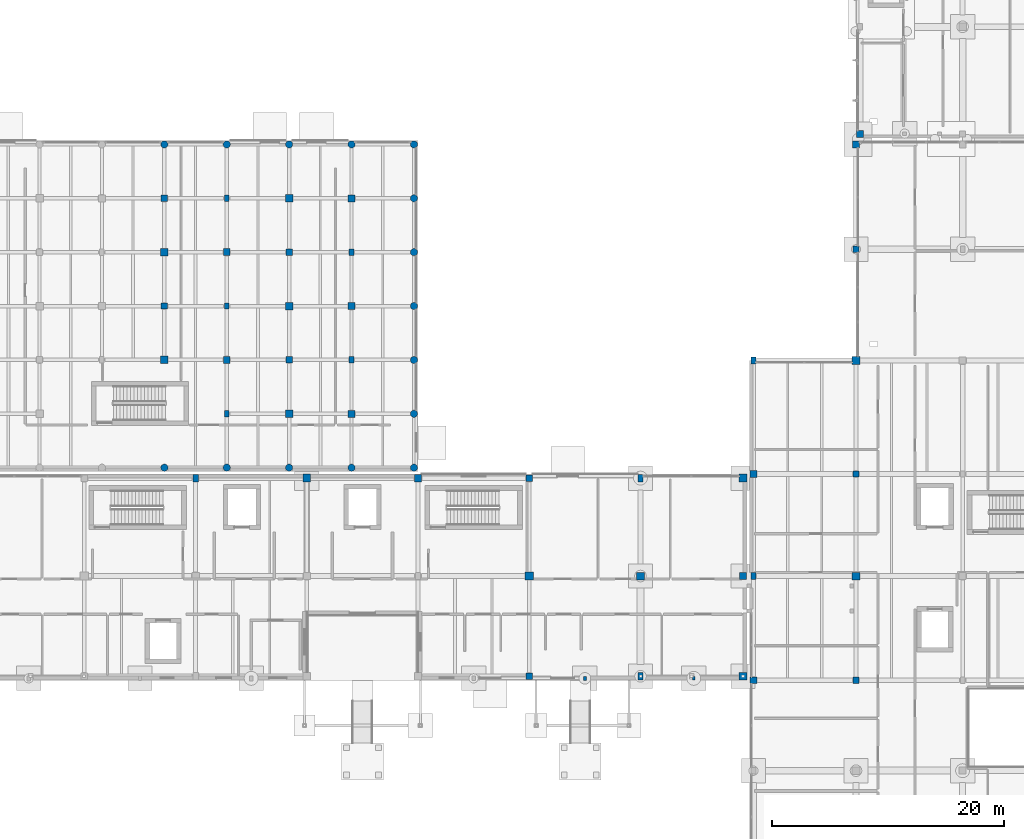
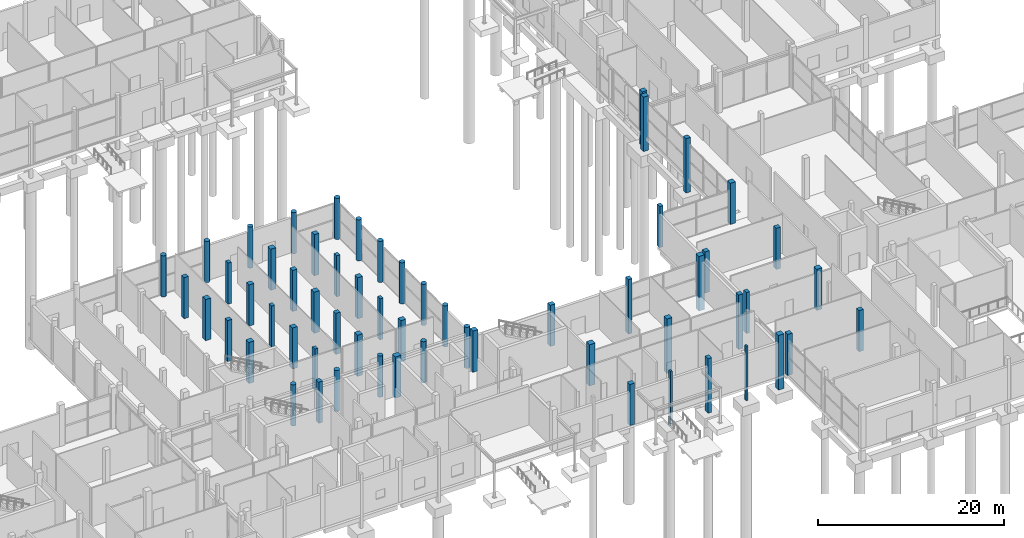
# One storey, part 9 of 88: 59 columns.
"""IFC4 building model written with IfcOpenShell, lengths in metres."""

from ifc_helpers import new_model, si_unit, direction, frame, origin, origin_2d, place, context, subcontext, project, spatial, rectangle, circle, extrude, material, material_profile, profile_set, type_object, element, save


model = new_model("IFC4")

# Units and contexts
model_context = context("Model", 3, precision=1e-05, world=origin(), true_north=direction((0.0, 1.0)))
body_context = subcontext(model_context, "Body", "Model", "MODEL_VIEW")
ifc_project = project(units=[si_unit("LENGTHUNIT", "METRE"), si_unit("AREAUNIT", "SQUARE_METRE"), si_unit("VOLUMEUNIT", "CUBIC_METRE"), si_unit("PLANEANGLEUNIT", "RADIAN"), si_unit("MASSUNIT", "GRAM", prefix="KILO")], contexts=[model_context])

# Site, building, storey
site_placement = place(None, origin())
site = spatial("IfcSite", under=ifc_project, at=site_placement, CompositionType="ELEMENT")
building_placement = place(site_placement, origin())
building = spatial("IfcBuilding", under=site, at=building_placement, Name="Birchvale Park Specialist Clinic", CompositionType="ELEMENT")
storey_placement = place(building_placement, origin())
storey = spatial("IfcBuildingStorey", under=building, at=storey_placement, Name="L00", CompositionType="ELEMENT", Elevation=0.0)

# Columns
ifc_material = material(Name="Concrete C40/50", Category="concrete")
ifc_material_profile_1 = material_profile(ifc_material, rectangle(XDim=0.679931640625, YDim=0.679931640625, at=origin_2d()), Name="RC-680x680")
ifc_profile_set_1 = profile_set([ifc_material_profile_1], Name="Concrete C40/50")
column_type_1 = type_object("IfcColumnType", Name="COL-EXT-C01", PredefinedType="COLUMN", material=ifc_profile_set_1)
column_1_placement = place(storey_placement, frame((80.60009765625, 34.25, 0.0), z_axis=(0.0, 0.0, 1.0), x_axis=(1.0, 0.0, 0.0)))
element("IfcColumn", 1, at=column_1_placement, inside=storey, type_object=column_type_1, Name="V4 L00 column 12", PredefinedType="COLUMN", context=body_context, shape_type="SweptSolid", body=[
    extrude(rectangle(XDim=0.679931640625, YDim=0.679931640625, at=origin_2d()), origin(), (0.0, 0.0, 1.0), 5.39990234375),
])
for number, where, z_axis, x_axis, name in (
    (2, (118.25, 17.14990234375, -1.75), (0.0, 0.0, 1.0), (1.0, 0.0, 0.0), "V4 L00 column 22"),
    (3, (118.25, 34.25, -1.75), (0.0, 0.0, 1.0), (1.0, 0.0, 0.0), "V4 L00 column 24"),
):
    element("IfcColumn", number, at=place(storey_placement, frame(where, z_axis=z_axis, x_axis=x_axis)), inside=storey, type_object=column_type_1, Name=name, PredefinedType="COLUMN", context=body_context, shape_type="SweptSolid", body=[
        extrude(rectangle(XDim=0.679931640625, YDim=0.679931640625, at=origin_2d()), origin(), (0.0, 0.0, 1.0), 7.14990234375),
    ])
ifc_material_profile_2 = material_profile(ifc_material, rectangle(XDim=0.6298828125, YDim=0.6298828125, at=origin_2d()), Name="RC-630x630")
ifc_profile_set_2 = profile_set([ifc_material_profile_2], Name="Concrete C40/50")
column_type_2 = type_object("IfcColumnType", Name="COL-EXT-C02", PredefinedType="COLUMN", material=ifc_profile_set_2)
column_2_placement = place(storey_placement, frame((90.199951171875, 34.25, 0.0), z_axis=(0.0, 0.0, 1.0), x_axis=(1.0, 0.0, 0.0)))
element("IfcColumn", 4, at=column_2_placement, inside=storey, type_object=column_type_2, Name="V4 L00 column 15", PredefinedType="COLUMN", context=body_context, shape_type="SweptSolid", body=[
    extrude(rectangle(XDim=0.6298828125, YDim=0.6298828125, at=origin_2d()), origin(), (0.0, 0.0, 1.0), 5.39990234375),
])
column_3_placement = place(storey_placement, frame((128.0, 63.050048828125, -1.75), z_axis=(0.0, 0.0, 1.0), x_axis=(1.0, 0.0, 0.0)))
element("IfcColumn", 5, at=column_3_placement, inside=storey, type_object=column_type_2, Name="V5 L00 column 14", PredefinedType="COLUMN", context=body_context, shape_type="SweptSolid", body=[
    extrude(rectangle(XDim=0.6298828125, YDim=0.6298828125, at=origin_2d()), origin(), (0.0, 0.0, 1.0), 7.14990234375),
])
ifc_material_profile_3 = material_profile(ifc_material, rectangle(XDim=0.580078125, YDim=0.580078125, at=origin_2d()), Name="RC-580x580")
ifc_profile_set_3 = profile_set([ifc_material_profile_3], Name="Concrete C40/50")
column_type_3 = type_object("IfcColumnType", Name="COL-EXT-C03", PredefinedType="COLUMN", material=ifc_profile_set_3)
for number, where, z_axis, x_axis, name in (
    (6, (99.800048828125, 17.14990234375, 0.0), (0.0, 0.0, 1.0), (1.0, 0.0, 0.0), "V4 L00 column 16"),
    (7, (99.800048828125, 34.25, 0.0), (0.0, 0.0, 1.0), (1.0, 0.0, 0.0), "V4 L00 column 18"),
):
    element("IfcColumn", number, at=place(storey_placement, frame(where, z_axis=z_axis, x_axis=x_axis)), inside=storey, type_object=column_type_3, Name=name, PredefinedType="COLUMN", context=body_context, shape_type="SweptSolid", body=[
        extrude(rectangle(XDim=0.580078125, YDim=0.580078125, at=origin_2d()), origin(), (0.0, 0.0, 1.0), 5.39990234375),
    ])
column_4_placement = place(storey_placement, frame((118.25, 25.800048828125, -1.75), z_axis=(0.0, 0.0, 1.0), x_axis=(1.0, 0.0, 0.0)))
element("IfcColumn", 8, at=column_4_placement, inside=storey, type_object=column_type_3, Name="V4 L00 column 23", PredefinedType="COLUMN", context=body_context, shape_type="SweptSolid", body=[
    extrude(rectangle(XDim=0.580078125, YDim=0.580078125, at=origin_2d()), origin(), (0.0, 0.0, 1.0), 7.14990234375),
])
for number, where, z_axis, x_axis, name in (
    (9, (119.14990234375, 16.800048828125, 0.0), (0.0, 0.0, 1.0), (1.0, 0.0, 0.0), "V5 L00 column 3"),
    (10, (119.14990234375, 34.60009765625, 0.0), (0.0, 0.0, 1.0), (1.0, 0.0, 0.0), "V5 L00 column 5"),
):
    element("IfcColumn", number, at=place(storey_placement, frame(where, z_axis=z_axis, x_axis=x_axis)), inside=storey, type_object=column_type_3, Name=name, PredefinedType="COLUMN", context=body_context, shape_type="SweptSolid", body=[
        extrude(rectangle(XDim=0.580078125, YDim=0.580078125, at=origin_2d()), origin(), (0.0, 0.0, 1.0), 5.39990234375),
    ])
column_5_placement = place(storey_placement, frame((128.35009765625, 63.949951171875, -1.75), z_axis=(0.0, 0.0, 1.0), x_axis=(1.0, 0.0, 0.0)))
element("IfcColumn", 11, at=column_5_placement, inside=storey, type_object=column_type_3, Name="V6 L00 column 1", PredefinedType="COLUMN", context=body_context, shape_type="SweptSolid", body=[
    extrude(rectangle(XDim=0.580078125, YDim=0.580078125, at=origin_2d()), origin(), (0.0, 0.0, 1.0), 7.14990234375),
])
ifc_material_profile_4 = material_profile(ifc_material, rectangle(XDim=0.469970703125, YDim=0.6298828125, at=origin_2d()), Name="RC-470x630")
ifc_profile_set_4 = profile_set([ifc_material_profile_4], Name="Concrete C40/50")
column_type_4 = type_object("IfcColumnType", Name="COL-EXT-C09", PredefinedType="COLUMN", material=ifc_profile_set_4)
column_6_placement = place(storey_placement, frame((71.0, 34.25, 0.0), z_axis=(0.0, 0.0, 1.0), x_axis=(1.0, 0.0, 0.0)))
element("IfcColumn", 12, at=column_6_placement, inside=storey, type_object=column_type_4, Name="V4 L00 column 9", PredefinedType="COLUMN", context=body_context, shape_type="SweptSolid", body=[
    extrude(rectangle(XDim=0.469970703125, YDim=0.6298828125, at=origin_2d()), origin(), (0.0, 0.0, 1.0), 5.39990234375),
])
for number, where, z_axis, x_axis, name in (
    (13, (109.39990234375, 17.14990234375, -1.75), (0.0, 0.0, 1.0), (1.0, 0.0, 0.0), "V4 L00 column 19"),
    (14, (109.39990234375, 34.25, -1.75), (0.0, 0.0, 1.0), (1.0, 0.0, 0.0), "V4 L00 column 21"),
):
    element("IfcColumn", number, at=place(storey_placement, frame(where, z_axis=z_axis, x_axis=x_axis)), inside=storey, type_object=column_type_4, Name=name, PredefinedType="COLUMN", context=body_context, shape_type="SweptSolid", body=[
        extrude(rectangle(XDim=0.469970703125, YDim=0.6298828125, at=origin_2d()), origin(), (0.0, 0.0, 1.0), 7.14990234375),
    ])
ifc_material_profile_5 = material_profile(ifc_material, rectangle(XDim=0.419921875, YDim=0.580078125, at=origin_2d()), Name="RC-420x580")
ifc_profile_set_5 = profile_set([ifc_material_profile_5], Name="Concrete C40/50")
column_type_5 = type_object("IfcColumnType", Name="COL-EXT-C10", PredefinedType="COLUMN", material=ifc_profile_set_5)
for number, where, z_axis, x_axis, name in (
    (15, (119.14990234375, 25.800048828125, 0.0), (0.0, 0.0, 1.0), (1.0, 0.0, 0.0), "V5 L00 column 4"),
    (16, (119.14990234375, 44.39990234375, 0.0), (0.0, 0.0, 1.0), (1.0, 0.0, 0.0), "V5 L00 column 6"),
):
    element("IfcColumn", number, at=place(storey_placement, frame(where, z_axis=z_axis, x_axis=x_axis)), inside=storey, type_object=column_type_5, Name=name, PredefinedType="COLUMN", context=body_context, shape_type="SweptSolid", body=[
        extrude(rectangle(XDim=0.419921875, YDim=0.580078125, at=origin_2d()), origin(), (0.0, 0.0, 1.0), 5.39990234375),
    ])
ifc_material_profile_6 = material_profile(ifc_material, circle(Radius=0.31005859375, at=origin_2d()), Name="RCC-620")
ifc_profile_set_6 = profile_set([ifc_material_profile_6], Name="Concrete C40/50")
column_type_6 = type_object("IfcColumnType", Name="COL-EXT-CC1", PredefinedType="COLUMN", material=ifc_profile_set_6)
for number, where, z_axis, x_axis, name in (
    (17, (68.30712890625, 35.14990234375, 0.0), (0.0, 0.0, 1.0), (1.0, 0.0, 0.0), "V1 L00 column 21"),
    (18, (68.30712890625, 63.050048828125, 0.0), (0.0, 0.0, 1.0), (1.0, 0.0, 0.0), "V1 L00 column 26"),
    (19, (73.69287109375, 35.14990234375, 0.0), (0.0, 0.0, 1.0), (1.0, 0.0, 0.0), "V1 L00 column 27"),
    (20, (73.69287109375, 63.050048828125, 0.0), (0.0, 0.0, 1.0), (1.0, 0.0, 0.0), "V1 L00 column 33"),
    (21, (79.07861328125, 35.14990234375, 0.0), (0.0, 0.0, 1.0), (1.0, 0.0, 0.0), "V1 L00 column 34"),
    (22, (79.07861328125, 63.050048828125, 0.0), (0.0, 0.0, 1.0), (1.0, 0.0, 0.0), "V1 L00 column 40"),
    (23, (84.46435546875, 35.14990234375, 0.0), (0.0, 0.0, 1.0), (1.0, 0.0, 0.0), "V1 L00 column 41"),
    (24, (84.46435546875, 63.050048828125, 0.0), (0.0, 0.0, 1.0), (1.0, 0.0, 0.0), "V1 L00 column 47"),
    (25, (89.85009765625, 35.14990234375, 0.0), (0.0, 0.0, 1.0), (1.0, 0.0, 0.0), "V1 L00 column 48"),
    (26, (89.85009765625, 39.800048828125, 0.0), (0.0, 0.0, 1.0), (1.0, 0.0, 0.0), "V1 L00 column 49"),
    (27, (89.85009765625, 44.449951171875, 0.0), (0.0, 0.0, 1.0), (1.0, 0.0, 0.0), "V1 L00 column 50"),
    (28, (89.85009765625, 49.10009765625, 0.0), (0.0, 0.0, 1.0), (1.0, 0.0, 0.0), "V1 L00 column 51"),
    (29, (89.85009765625, 53.75, 0.0), (0.0, 0.0, 1.0), (1.0, 0.0, 0.0), "V1 L00 column 52"),
    (30, (89.85009765625, 58.39990234375, 0.0), (0.0, 0.0, 1.0), (1.0, 0.0, 0.0), "V1 L00 column 53"),
    (31, (89.85009765625, 63.050048828125, 0.0), (0.0, 0.0, 1.0), (1.0, 0.0, 0.0), "V1 L00 column 54"),
):
    element("IfcColumn", number, at=place(storey_placement, frame(where, z_axis=z_axis, x_axis=x_axis)), inside=storey, type_object=column_type_6, Name=name, PredefinedType="COLUMN", context=body_context, shape_type="SweptSolid", body=[
        extrude(circle(Radius=0.31005859375, at=origin_2d()), origin(), (0.0, 0.0, 1.0), 5.39990234375),
    ])
ifc_material_profile_7 = material_profile(ifc_material, rectangle(XDim=0.699951171875, YDim=0.699951171875, at=origin_2d()), Name="RC-700x700")
ifc_profile_set_7 = profile_set([ifc_material_profile_7], Name="Concrete C40/50")
column_type_7 = type_object("IfcColumnType", Name="COL-INT-C01", PredefinedType="COLUMN", material=ifc_profile_set_7)
column_7_placement = place(storey_placement, frame((99.800048828125, 25.800048828125, 0.0), z_axis=(0.0, 0.0, 1.0), x_axis=(1.0, 0.0, 0.0)))
element("IfcColumn", 32, at=column_7_placement, inside=storey, type_object=column_type_7, Name="V4 L00 column 17", PredefinedType="COLUMN", context=body_context, shape_type="SweptSolid", body=[
    extrude(rectangle(XDim=0.699951171875, YDim=0.699951171875, at=origin_2d()), origin(), (0.0, 0.0, 1.0), 5.39990234375),
])
ifc_material_profile_8 = material_profile(ifc_material, rectangle(XDim=0.64990234375, YDim=0.64990234375, at=origin_2d()), Name="RC-650x650")
ifc_profile_set_8 = profile_set([ifc_material_profile_8], Name="Concrete C40/50")
column_type_8 = type_object("IfcColumnType", Name="COL-INT-C02", PredefinedType="COLUMN", material=ifc_profile_set_8)
for number, where, z_axis, x_axis, name in (
    (33, (68.30712890625, 44.449951171875, 0.0), (0.0, 0.0, 1.0), (1.0, 0.0, 0.0), "V1 L00 column 22"),
    (34, (68.30712890625, 53.75, 0.0), (0.0, 0.0, 1.0), (1.0, 0.0, 0.0), "V1 L00 column 24"),
    (35, (79.07861328125, 39.800048828125, 0.0), (0.0, 0.0, 1.0), (1.0, 0.0, 0.0), "V1 L00 column 35"),
    (36, (79.07861328125, 49.10009765625, 0.0), (0.0, 0.0, 1.0), (1.0, 0.0, 0.0), "V1 L00 column 37"),
    (37, (79.07861328125, 58.39990234375, 0.0), (0.0, 0.0, 1.0), (1.0, 0.0, 0.0), "V1 L00 column 39"),
):
    element("IfcColumn", number, at=place(storey_placement, frame(where, z_axis=z_axis, x_axis=x_axis)), inside=storey, type_object=column_type_8, Name=name, PredefinedType="COLUMN", context=body_context, shape_type="SweptSolid", body=[
        extrude(rectangle(XDim=0.64990234375, YDim=0.64990234375, at=origin_2d()), origin(), (0.0, 0.0, 1.0), 5.39990234375),
    ])
column_8_placement = place(storey_placement, frame((109.39990234375, 25.800048828125, -1.75), z_axis=(0.0, 0.0, 1.0), x_axis=(1.0, 0.0, 0.0)))
element("IfcColumn", 38, at=column_8_placement, inside=storey, type_object=column_type_8, Name="V4 L00 column 20", PredefinedType="COLUMN", context=body_context, shape_type="SweptSolid", body=[
    extrude(rectangle(XDim=0.64990234375, YDim=0.64990234375, at=origin_2d()), origin(), (0.0, 0.0, 1.0), 7.14990234375),
])
for number, where, z_axis, x_axis, name in (
    (39, (128.0, 25.800048828125, 0.0), (0.0, 0.0, 1.0), (1.0, 0.0, 0.0), "V5 L00 column 10"),
    (40, (128.0, 44.39990234375, 0.0), (0.0, 0.0, 1.0), (1.0, 0.0, 0.0), "V5 L00 column 12"),
):
    element("IfcColumn", number, at=place(storey_placement, frame(where, z_axis=z_axis, x_axis=x_axis)), inside=storey, type_object=column_type_8, Name=name, PredefinedType="COLUMN", context=body_context, shape_type="SweptSolid", body=[
        extrude(rectangle(XDim=0.64990234375, YDim=0.64990234375, at=origin_2d()), origin(), (0.0, 0.0, 1.0), 5.39990234375),
    ])
ifc_material_profile_9 = material_profile(ifc_material, rectangle(XDim=0.60009765625, YDim=0.60009765625, at=origin_2d()), Name="RC-600x600")
ifc_profile_set_9 = profile_set([ifc_material_profile_9], Name="Concrete C40/50")
column_type_9 = type_object("IfcColumnType", Name="COL-INT-C03", PredefinedType="COLUMN", material=ifc_profile_set_9)
for number, where, z_axis, x_axis, name in (
    (41, (73.69287109375, 44.449951171875, 0.0), (0.0, 0.0, 1.0), (1.0, 0.0, 0.0), "V1 L00 column 29"),
    (42, (73.69287109375, 53.75, 0.0), (0.0, 0.0, 1.0), (1.0, 0.0, 0.0), "V1 L00 column 31"),
    (43, (84.46435546875, 39.800048828125, 0.0), (0.0, 0.0, 1.0), (1.0, 0.0, 0.0), "V1 L00 column 42"),
    (44, (84.46435546875, 49.10009765625, 0.0), (0.0, 0.0, 1.0), (1.0, 0.0, 0.0), "V1 L00 column 44"),
    (45, (84.46435546875, 58.39990234375, 0.0), (0.0, 0.0, 1.0), (1.0, 0.0, 0.0), "V1 L00 column 46"),
):
    element("IfcColumn", number, at=place(storey_placement, frame(where, z_axis=z_axis, x_axis=x_axis)), inside=storey, type_object=column_type_9, Name=name, PredefinedType="COLUMN", context=body_context, shape_type="SweptSolid", body=[
        extrude(rectangle(XDim=0.60009765625, YDim=0.60009765625, at=origin_2d()), origin(), (0.0, 0.0, 1.0), 5.39990234375),
    ])
ifc_material_profile_10 = material_profile(ifc_material, rectangle(XDim=0.550048828125, YDim=0.550048828125, at=origin_2d()), Name="RC-550x550")
ifc_profile_set_10 = profile_set([ifc_material_profile_10], Name="Concrete C40/50")
column_type_10 = type_object("IfcColumnType", Name="COL-INT-C04", PredefinedType="COLUMN", material=ifc_profile_set_10)
for number, where, z_axis, x_axis, name in (
    (46, (68.30712890625, 49.10009765625, 0.0), (0.0, 0.0, 1.0), (1.0, 0.0, 0.0), "V1 L00 column 23"),
    (47, (68.30712890625, 58.39990234375, 0.0), (0.0, 0.0, 1.0), (1.0, 0.0, 0.0), "V1 L00 column 25"),
    (48, (79.07861328125, 44.449951171875, 0.0), (0.0, 0.0, 1.0), (1.0, 0.0, 0.0), "V1 L00 column 36"),
    (49, (79.07861328125, 53.75, 0.0), (0.0, 0.0, 1.0), (1.0, 0.0, 0.0), "V1 L00 column 38"),
    (50, (128.0, 16.800048828125, 0.0), (0.0, 0.0, 1.0), (1.0, 0.0, 0.0), "V5 L00 column 9"),
    (51, (128.0, 34.60009765625, 0.0), (0.0, 0.0, 1.0), (1.0, 0.0, 0.0), "V5 L00 column 11"),
):
    element("IfcColumn", number, at=place(storey_placement, frame(where, z_axis=z_axis, x_axis=x_axis)), inside=storey, type_object=column_type_10, Name=name, PredefinedType="COLUMN", context=body_context, shape_type="SweptSolid", body=[
        extrude(rectangle(XDim=0.550048828125, YDim=0.550048828125, at=origin_2d()), origin(), (0.0, 0.0, 1.0), 5.39990234375),
    ])
column_9_placement = place(storey_placement, frame((128.0, 54.0, -1.75), z_axis=(0.0, 0.0, 1.0), x_axis=(1.0, 0.0, 0.0)))
element("IfcColumn", 52, at=column_9_placement, inside=storey, type_object=column_type_10, Name="V5 L00 column 13", PredefinedType="COLUMN", context=body_context, shape_type="SweptSolid", body=[
    extrude(rectangle(XDim=0.550048828125, YDim=0.550048828125, at=origin_2d()), origin(), (0.0, 0.0, 1.0), 7.14990234375),
])
ifc_material_profile_11 = material_profile(ifc_material, rectangle(XDim=0.39990234375, YDim=0.550048828125, at=origin_2d()), Name="RC-400x550")
ifc_profile_set_11 = profile_set([ifc_material_profile_11], Name="Concrete C40/50")
column_type_11 = type_object("IfcColumnType", Name="COL-INT-C10", PredefinedType="COLUMN", material=ifc_profile_set_11)
for number, where, z_axis, x_axis, name in (
    (53, (73.69287109375, 39.800048828125, 0.0), (0.0, 0.0, 1.0), (1.0, 0.0, 0.0), "V1 L00 column 28"),
    (54, (73.69287109375, 49.10009765625, 0.0), (0.0, 0.0, 1.0), (1.0, 0.0, 0.0), "V1 L00 column 30"),
    (55, (73.69287109375, 58.39990234375, 0.0), (0.0, 0.0, 1.0), (1.0, 0.0, 0.0), "V1 L00 column 32"),
    (56, (84.46435546875, 44.449951171875, 0.0), (0.0, 0.0, 1.0), (1.0, 0.0, 0.0), "V1 L00 column 43"),
    (57, (84.46435546875, 53.75, 0.0), (0.0, 0.0, 1.0), (1.0, 0.0, 0.0), "V1 L00 column 45"),
):
    element("IfcColumn", number, at=place(storey_placement, frame(where, z_axis=z_axis, x_axis=x_axis)), inside=storey, type_object=column_type_11, Name=name, PredefinedType="COLUMN", context=body_context, shape_type="SweptSolid", body=[
        extrude(rectangle(XDim=0.39990234375, YDim=0.550048828125, at=origin_2d()), origin(), (0.0, 0.0, 1.0), 5.39990234375),
    ])
ifc_material_profile_12 = material_profile(ifc_material, rectangle(XDim=0.25, YDim=0.340087890625, at=origin_2d()), Name="PIL-250x340")
ifc_profile_set_12 = profile_set([ifc_material_profile_12], Name="Concrete C40/50")
column_type_12 = type_object("IfcColumnType", Name="PIL-PL3", PredefinedType="PILASTER", material=ifc_profile_set_12)
column_10_placement = place(storey_placement, frame((104.60009765625, 16.969970703125, -1.75), z_axis=(0.0, 0.0, 1.0), x_axis=(1.0, 0.0, 0.0)))
element("IfcColumn", 58, at=column_10_placement, inside=storey, type_object=column_type_12, Name="V4 L00 facade pilaster 16", PredefinedType="PILASTER", context=body_context, shape_type="SweptSolid", body=[
    extrude(rectangle(XDim=0.25, YDim=0.340087890625, at=origin_2d()), origin(), (0.0, 0.0, 1.0), 7.14990234375),
])
ifc_material_profile_13 = material_profile(ifc_material, rectangle(XDim=0.239990234375, YDim=0.320068359375, at=origin_2d()), Name="PIL-240x320")
ifc_profile_set_13 = profile_set([ifc_material_profile_13], Name="Concrete C40/50")
column_type_13 = type_object("IfcColumnType", Name="PIL-PL4", PredefinedType="PILASTER", material=ifc_profile_set_13)
column_11_placement = place(storey_placement, frame((114.0, 16.969970703125, -1.75), z_axis=(0.0, 0.0, 1.0), x_axis=(1.0, 0.0, 0.0)))
element("IfcColumn", 59, at=column_11_placement, inside=storey, type_object=column_type_13, Name="V4 L00 facade pilaster 21", PredefinedType="PILASTER", context=body_context, shape_type="SweptSolid", body=[
    extrude(rectangle(XDim=0.239990234375, YDim=0.320068359375, at=origin_2d()), origin(), (0.0, 0.0, 1.0), 7.14990234375),
])

save(model, "model.ifc")
